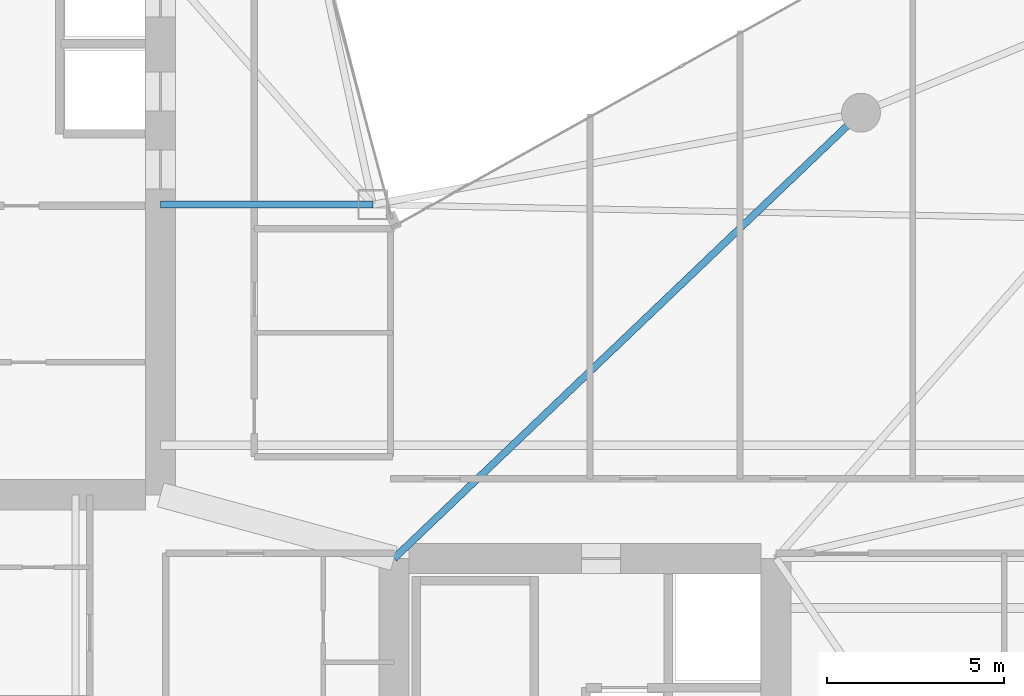
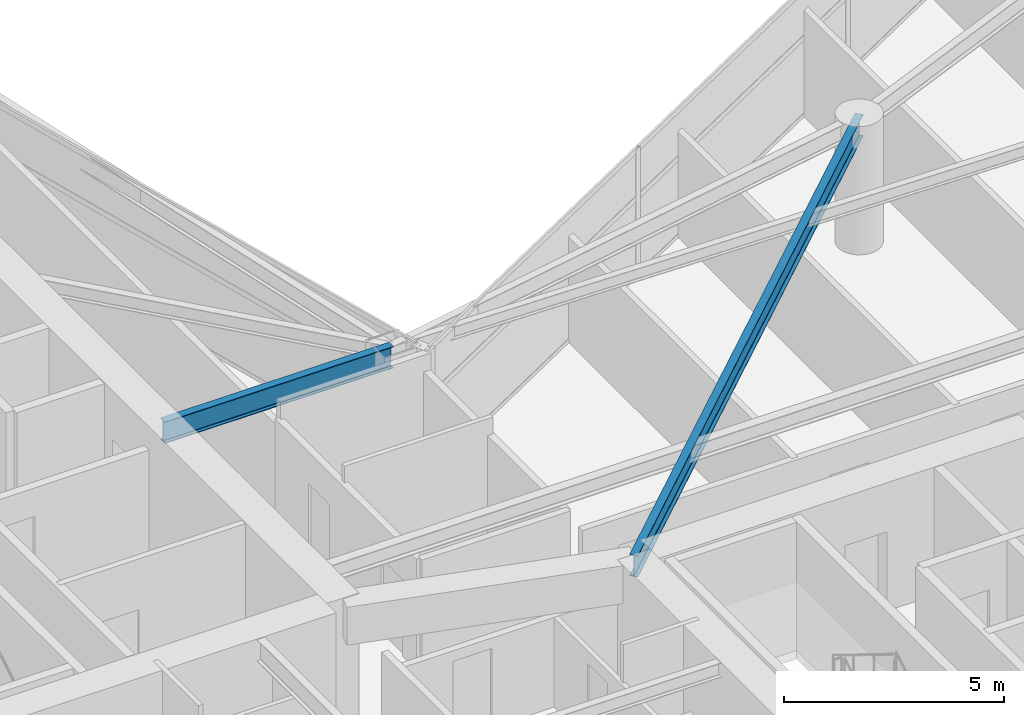
# One storey, part 9 of 29: 2 beams.
"""IFC4 building model written with IfcOpenShell, lengths in metres."""

from ifc_helpers import new_model, si_unit, direction, frame, origin, origin_2d, place, context, subcontext, project, spatial, i_section, extrude, material, material_profile, profile_set, type_object, element, save


model = new_model("IFC4")

# Units and contexts
model_context = context("Model", 3, precision=1e-05, world=origin(), true_north=direction((0.0, 1.0)))
body_context = subcontext(model_context, "Body", "Model", "MODEL_VIEW")
ifc_project = project(units=[si_unit("LENGTHUNIT", "METRE"), si_unit("AREAUNIT", "SQUARE_METRE"), si_unit("VOLUMEUNIT", "CUBIC_METRE"), si_unit("PLANEANGLEUNIT", "RADIAN"), si_unit("MASSUNIT", "GRAM", prefix="KILO")], contexts=[model_context])

# Site, building, storey
site_placement = place(None, origin())
site = spatial("IfcSite", under=ifc_project, at=site_placement, CompositionType="ELEMENT")
building_placement = place(site_placement, origin())
building = spatial("IfcBuilding", under=site, at=building_placement, Name="Calvorn Quay Hotel", CompositionType="ELEMENT")
storey_placement = place(building_placement, frame((0.0, 0.0, 148.5)))
storey = spatial("IfcBuildingStorey", under=building, at=storey_placement, Name="L36", CompositionType="ELEMENT", Elevation=148.5)

# Beams
ifc_material = material(Name="Steel Q355B", Category="steel")
ifc_material_profile = material_profile(ifc_material, i_section(OverallWidth=0.199951171875, OverallDepth=0.60009765625, WebThickness=0.010986328125, FlangeThickness=0.01708984375, FilletRadius=0.01806640625, at=origin_2d()), Name="HN600x200x11x17")
ifc_profile_set = profile_set([ifc_material_profile], Name="Steel Q355B")
beam_type = type_object("IfcBeamType", Name="BM-GIRD-TYP", PredefinedType="BEAM", material=ifc_profile_set)
beam_1_placement = place(storey_placement, frame((21.0, 25.0, 3.239990234375), z_axis=(-1.0, 0.0, 0.0), x_axis=(0.0, -1.0, 0.0)))
element("IfcBeam", 1, at=beam_1_placement, inside=storey, type_object=beam_type, Name="Beam BG-L36-W7", PredefinedType="BEAM", context=body_context, shape_type="SweptSolid", body=[
    extrude(i_section(OverallWidth=0.199951171875, OverallDepth=0.60009765625, WebThickness=0.010986328125, FlangeThickness=0.01708984375, FilletRadius=0.01806640625, at=origin_2d()), origin(), (0.0, 0.0, 1.0), 6.0),
])
beam_2_placement = place(storey_placement, frame((21.60009765625, 15.0, 3.239990234375), z_axis=(0.723351595578, 0.690479883252, 0.0), x_axis=(-0.690479883252, 0.723351595578, 0.0)))
element("IfcBeam", 2, at=beam_2_placement, inside=storey, type_object=beam_type, Name="Beam BG-L36-E4", PredefinedType="BEAM", context=body_context, shape_type="SweptSolid", body=[
    extrude(i_section(OverallWidth=0.199951171875, OverallDepth=0.60009765625, WebThickness=0.010986328125, FlangeThickness=0.01708984375, FilletRadius=0.01806640625, at=origin_2d()), origin(), (0.0, 0.0, 1.0), 18.248291015625),
])

save(model, "model.ifc")
